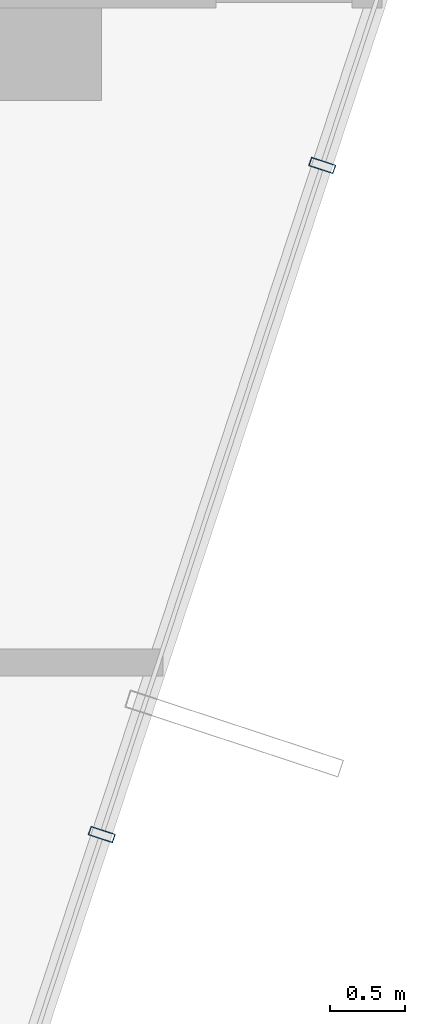
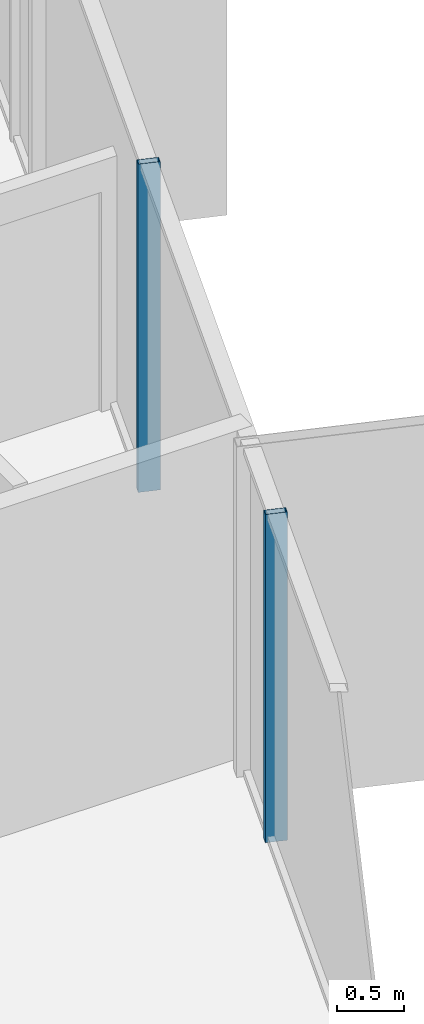
# One storey, part 16 of 38: 2 members, 1 element without a shape of its own.
"""IFC4 building model written with IfcOpenShell, lengths in metres."""

import ifcopenshell
import ifcopenshell.guid

model = None  # the IFC model being written
_history = None  # IfcOwnerHistory: only IFC2X3 demands one
_inside = {}  # id of a spatial element -> (the spatial element, [elements in it])
_under = {}  # id of a project, library or spatial element -> (it, [spatial elements below it])
_declared = {}  # id of a project -> (the project, [libraries it declares])
_typed = {}  # id of a type object -> (the type object, [elements of that type])
_made_of = {}  # id of a material, layer set ... -> (it, [elements and type objects made of it])


def new_model(schema):
    """Start an empty IFC model of exactly this schema.

    Asked for "IFC4X3", IfcOpenShell would pick the latest addendum, in which some entities
    have other attributes; the version numbers below select the first issue.
    IFC2X3 requires an IfcOwnerHistory on every rooted entity: one is made here for all.
    """
    global model, _history
    if schema == "IFC4X3":
        model = ifcopenshell.file(schema_version=(4, 3, 0, 0))
    else:
        model = ifcopenshell.file(schema=schema)
    _inside.clear()
    _under.clear()
    _declared.clear()
    _typed.clear()
    _made_of.clear()
    _history = None
    if model.schema == "IFC2X3":
        org = make("IfcOrganization", Name="unknown")
        user = make(
            "IfcPersonAndOrganization",
            ThePerson=make("IfcPerson", FamilyName="unknown"),
            TheOrganization=org,
        )
        app = make(
            "IfcApplication",
            ApplicationDeveloper=org,
            Version="unknown",
            ApplicationFullName="unknown",
            ApplicationIdentifier="unknown",
        )
        _history = make(
            "IfcOwnerHistory",
            OwningUser=user,
            OwningApplication=app,
            ChangeAction="ADDED",
            CreationDate=0,
        )
    return model


def make(cls, **values):
    """One entity of the class cls with the attributes given. An attribute that is None is left unset."""
    return model.create_entity(
        cls, **{name: value for name, value in values.items() if value is not None}
    )


def rooted(cls, **values):
    """An entity with a GlobalId (a new one), such as an element, a storey or a relation."""
    return make(cls, GlobalId=ifcopenshell.guid.new(), OwnerHistory=_history, **values)


def si_unit(unit_type, name, prefix=None):
    """IfcSIUnit, for example si_unit("LENGTHUNIT", "METRE", prefix="MILLI")."""
    return make("IfcSIUnit", UnitType=unit_type, Prefix=prefix, Name=name)


def assignment(units):
    """IfcUnitAssignment: the units of a project."""
    return None if units is None else make("IfcUnitAssignment", Units=units)


def point(xyz):
    """IfcCartesianPoint."""
    return None if xyz is None else make("IfcCartesianPoint", Coordinates=xyz)


def direction(xyz):
    """IfcDirection."""
    return None if xyz is None else make("IfcDirection", DirectionRatios=xyz)


def frame(location, z_axis=None, x_axis=None):
    """IfcAxis2Placement3D, a coordinate frame: its origin and axes. An axis left out is left unset."""
    return make(
        "IfcAxis2Placement3D",
        Location=point(location),
        Axis=direction(z_axis),
        RefDirection=direction(x_axis),
    )


def frame_2d(location, x_axis=None):
    """IfcAxis2Placement2D, a coordinate frame in the plane: its origin and x axis."""
    return make(
        "IfcAxis2Placement2D", Location=point(location), RefDirection=direction(x_axis)
    )


def origin():
    """The frame at (0, 0, 0) with its axes left unset."""
    return frame((0.0, 0.0, 0.0))


def origin_2d():
    """The frame at (0, 0) in the plane with its x axis left unset."""
    return frame_2d((0.0, 0.0))


def place(relative_to, where):
    """IfcLocalPlacement: puts the frame where relative to a parent placement (None: the world)."""
    return make(
        "IfcLocalPlacement", PlacementRelTo=relative_to, RelativePlacement=where
    )


def context(
    kind, dimensions, precision=None, world=None, true_north=None, identifier=None
):
    """IfcGeometricRepresentationContext, for example the 3D "Model" context."""
    return make(
        "IfcGeometricRepresentationContext",
        ContextIdentifier=identifier,
        ContextType=kind,
        CoordinateSpaceDimension=dimensions,
        Precision=precision,
        WorldCoordinateSystem=world,
        TrueNorth=true_north,
    )


def subcontext(parent, identifier, kind, view, scale=None):
    """IfcGeometricRepresentationSubContext, for example "Body" below "Model"."""
    return make(
        "IfcGeometricRepresentationSubContext",
        ContextIdentifier=identifier,
        ContextType=kind,
        ParentContext=parent,
        TargetScale=scale,
        TargetView=view,
    )


def project(units=None, contexts=None):
    """IfcProject with its units and contexts."""
    return rooted(
        "IfcProject",
        Name="project",
        RepresentationContexts=contexts,
        UnitsInContext=assignment(units),
    )


def spatial(cls, under=None, at=None, **own):
    """A site, building, storey or space (cls), placed at a placement, below another one or the project."""
    s = rooted(cls, ObjectPlacement=at, **own)
    if under is not None:
        _under.setdefault(under.id(), (under, []))[1].append(s)
    return s


def profile(cls, at=None, kind="AREA", **sizes):
    """A parametric profile (cls). Its sizes go by their IFC names, for example OverallWidth=200.0."""
    return make(cls, ProfileType=kind, Position=at, **sizes)


def hollow_rectangle(**sizes):
    """IfcRectangleHollowProfileDef."""
    return profile("IfcRectangleHollowProfileDef", **sizes)


def extrude(swept, where, along, depth):
    """IfcExtrudedAreaSolid: the profile swept, set in the frame where, extruded along a direction by depth."""
    return make(
        "IfcExtrudedAreaSolid",
        SweptArea=swept,
        Position=where,
        ExtrudedDirection=direction(along),
        Depth=depth,
    )


def shape(context_of_items, identifier, shape_type, items):
    """IfcShapeRepresentation: the items that make up one representation, for example the "Body"."""
    return make(
        "IfcShapeRepresentation",
        ContextOfItems=context_of_items,
        RepresentationIdentifier=identifier,
        RepresentationType=shape_type,
        Items=items,
    )


def source(mapping_origin, context_of_items, identifier, shape_type, items):
    """IfcRepresentationMap: a shape defined once, which mapped items show again and again."""
    return make(
        "IfcRepresentationMap",
        MappingOrigin=mapping_origin,
        MappedRepresentation=shape(context_of_items, identifier, shape_type, items),
    )


def transform(
    local_origin,
    x_axis=None,
    y_axis=None,
    z_axis=None,
    scale=None,
    scale2=None,
    scale3=None,
    uniform=True,
):
    """IfcCartesianTransformationOperator3D, or its non-uniform kind. x_axis, y_axis, z_axis: its Axis1, 2, 3."""
    if uniform:
        return make(
            "IfcCartesianTransformationOperator3D",
            Axis1=direction(x_axis),
            Axis2=direction(y_axis),
            LocalOrigin=point(local_origin),
            Scale=scale,
            Axis3=direction(z_axis),
        )
    return make(
        "IfcCartesianTransformationOperator3DnonUniform",
        Axis1=direction(x_axis),
        Axis2=direction(y_axis),
        LocalOrigin=point(local_origin),
        Scale=scale,
        Axis3=direction(z_axis),
        Scale2=scale2,
        Scale3=scale3,
    )


def mapped(mapping_source, mapping_target):
    """IfcMappedItem: shows the shape of a source again, moved by a transform."""
    return make(
        "IfcMappedItem", MappingSource=mapping_source, MappingTarget=mapping_target
    )


def material(Name=None, Category=None):
    """IfcMaterial."""
    return make("IfcMaterial", Name=Name, Category=Category)


def layer(
    of_material, thickness, ventilated=None, Name=None, Category=None, Priority=None
):
    """IfcMaterialLayer: one layer of a wall or slab, of a material (None: an air gap)."""
    return make(
        "IfcMaterialLayer",
        Material=of_material,
        LayerThickness=thickness,
        IsVentilated=ventilated,
        Name=Name,
        Category=Category,
        Priority=Priority,
    )


def layer_set(layers, Name=None):
    """IfcMaterialLayerSet."""
    return make("IfcMaterialLayerSet", MaterialLayers=layers, LayerSetName=Name)


def material_profile(
    of_material, cross_section, Name=None, Category=None, Priority=None
):
    """IfcMaterialProfile: a cross section and its material."""
    return make(
        "IfcMaterialProfile",
        Name=Name,
        Material=of_material,
        Profile=cross_section,
        Priority=Priority,
        Category=Category,
    )


def profile_set(profiles, Name=None, composite=None):
    """IfcMaterialProfileSet."""
    return make(
        "IfcMaterialProfileSet",
        Name=Name,
        MaterialProfiles=profiles,
        CompositeProfile=composite,
    )


def made_of(thing, what):
    """Note that an element or type object is made of a material, layer set ...; save() writes the relation."""
    if what is not None:
        _made_of.setdefault(what.id(), (what, []))[1].append(thing)
    return thing


def type_object(cls, material=None, **own):
    """A type object (cls), such as IfcWallType, which elements share."""
    return made_of(rooted(cls, **own), material)


def element(
    cls,
    number,
    at=None,
    inside=None,
    cuts=None,
    type_object=None,
    material=None,
    context=None,
    identifier="Body",
    shape_type=None,
    held_by="IfcProductDefinitionShape",
    body=None,
    shapes=None,
    **own,
):
    """One element of the class cls, such as IfcWall. Its Tag is "e" and its number.

    at: its placement. inside: the storey or other place that contains it. cuts: it is an
    opening in that element (IfcRelVoidsElement). A single representation is given by context,
    identifier, shape_type and body (its items); several are given by shapes. held_by: the class
    of the entity that holds the representations. save() writes the other relations.
    """
    e = rooted(cls, Tag="e%d" % number, ObjectPlacement=at, **own)
    if body is not None:
        shapes = [shape(context, identifier, shape_type, body)]
    if shapes is not None:
        e.Representation = make(held_by, Representations=shapes)
    if inside is not None:
        _inside.setdefault(inside.id(), (inside, []))[1].append(e)
    if cuts is not None:
        rooted(
            "IfcRelVoidsElement", RelatingBuildingElement=cuts, RelatedOpeningElement=e
        )
    if type_object is not None:
        _typed.setdefault(type_object.id(), (type_object, []))[1].append(e)
    return made_of(e, material)


def aggregate(whole, parts):
    """IfcRelAggregates: a whole, such as a stair, and the parts it consists of."""
    return rooted("IfcRelAggregates", RelatingObject=whole, RelatedObjects=parts)


def save(model, path):
    """Write the relations noted so far, then the file.

    IfcRelAggregates (storeys below a building ...), IfcRelContainedInSpatialStructure (elements
    in a storey), IfcRelDefinesByType, IfcRelAssociatesMaterial and IfcRelDeclares: one each for
    every whole, place, type object, material and project.
    """
    for whole, parts in _under.values():
        aggregate(whole, parts)
    for where, things in _inside.values():
        rooted(
            "IfcRelContainedInSpatialStructure",
            RelatedElements=things,
            RelatingStructure=where,
        )
    for kind, things in _typed.values():
        rooted("IfcRelDefinesByType", RelatedObjects=things, RelatingType=kind)
    for what, things in _made_of.values():
        rooted("IfcRelAssociatesMaterial", RelatedObjects=things, RelatingMaterial=what)
    for by, libraries in _declared.values():
        rooted("IfcRelDeclares", RelatingContext=by, RelatedDefinitions=libraries)
    model.write(path)


model = new_model("IFC4")

# Units and contexts
model_context = context("Model", 3, precision=1e-05, world=origin(), true_north=direction((0.0, 1.0)))
body_context = subcontext(model_context, "Body", "Model", "MODEL_VIEW")
ifc_project = project(units=[si_unit("LENGTHUNIT", "METRE"), si_unit("AREAUNIT", "SQUARE_METRE"), si_unit("VOLUMEUNIT", "CUBIC_METRE"), si_unit("PLANEANGLEUNIT", "RADIAN"), si_unit("MASSUNIT", "GRAM", prefix="KILO")], contexts=[model_context])

# Site, building, storey
site_placement = place(None, origin())
site = spatial("IfcSite", under=ifc_project, at=site_placement, CompositionType="ELEMENT")
building_placement = place(site_placement, origin())
building = spatial("IfcBuilding", under=site, at=building_placement, Name="Veraguas Prism Commons", CompositionType="ELEMENT")
storey_placement = place(building_placement, frame((0.0, 0.0, 64.10009765625)))
storey = spatial("IfcBuildingStorey", under=building, at=storey_placement, Name="L17", CompositionType="ELEMENT", Elevation=64.10009765625)

# Curtain wall, members
ifc_material = material(Name="Anodised aluminium EN AW-6063 T6", Category="aluminium")
ifc_layer = layer(ifc_material, 0.169921875, Name="Unitised Flush Curtain Wall Zone 1", Category="aluminium")
ifc_layer_set = layer_set([ifc_layer], Name="Anodised aluminium EN AW-6063 T6")
curtain_wall_type = type_object("IfcCurtainWallType", Name="Unitised Flush Curtain Wall Zone 1", PredefinedType="NOTDEFINED", material=ifc_layer_set)
curtain_wall_placement = place(storey_placement, origin())
curtain_wall = element("IfcCurtainWall", 1, at=curtain_wall_placement, inside=storey, type_object=curtain_wall_type, Name="Tower Facade Curtain Wall L17-F6", PredefinedType="NOTDEFINED")
ifc_material_profile = material_profile(ifc_material, hollow_rectangle(XDim=0.06005859375, YDim=0.169921875, WallThickness=0.00390625, at=origin_2d()), Name="AL60X170X4")
ifc_profile_set = profile_set([ifc_material_profile], Name="Anodised aluminium EN AW-6063 T6")
member_type = type_object("IfcMemberType", Name="Curtain Wall Mullion Lower AL 60x170x4", PredefinedType="MULLION", material=ifc_profile_set)
shared_shape = source(origin(), body_context, "Body", "SweptSolid", [
    extrude(hollow_rectangle(XDim=0.06005859375, YDim=0.169921875, WallThickness=0.00390625, at=origin_2d()), origin(), (0.0, 0.0, 1.0), 3.0),
])
member_1_placement = place(storey_placement, frame((42.2783203125, 13.05810546875, 0.0), z_axis=(0.0, 0.0, 1.0), x_axis=(0.312991417409, 0.949755954248, 0.0)))
member_1 = element("IfcMember", 2, at=member_1_placement, type_object=member_type, Name="CW-Z1 Mullion 2", PredefinedType="MULLION", context=body_context, shape_type="MappedRepresentation", body=[
    mapped(shared_shape, transform((0.0, 0.0, 0.0), scale=1.0)),
])
member_2_placement = place(storey_placement, frame((43.740234375, 17.494384765625, 0.0), z_axis=(0.0, 0.0, 1.0), x_axis=(0.312991417409, 0.949755954248, 0.0)))
member_2 = element("IfcMember", 3, at=member_2_placement, type_object=member_type, Name="CW-Z1 Mullion 3", PredefinedType="MULLION", context=body_context, shape_type="MappedRepresentation", body=[
    mapped(shared_shape, transform((0.0, 0.0, 0.0), scale=1.0)),
])
aggregate(curtain_wall, [member_1, member_2])

save(model, "model.ifc")
